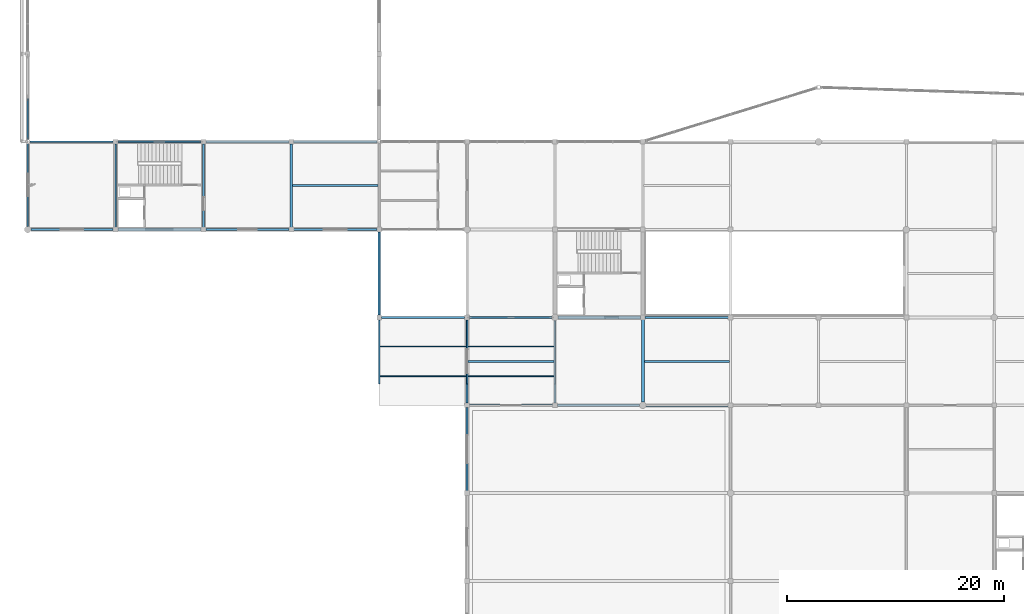
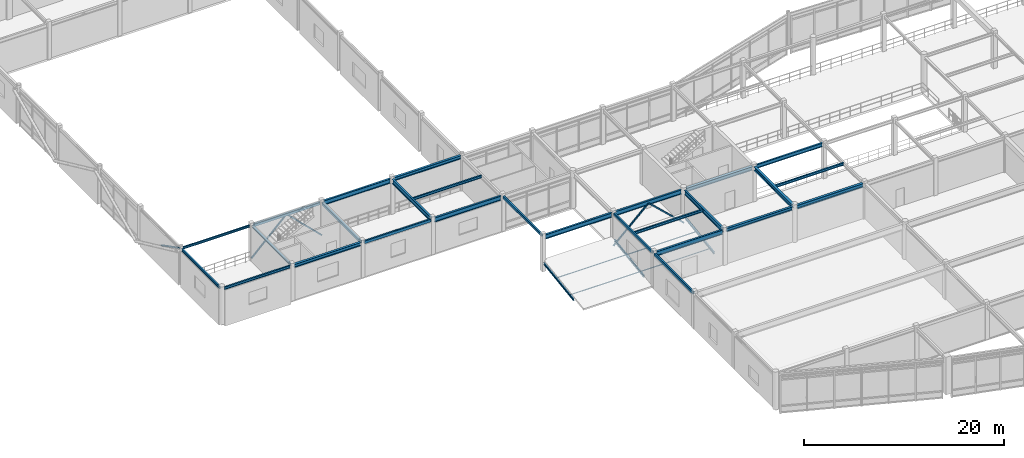
# One storey, part 19 of 93: 30 beams, 9 members.
"""IFC4 building model written with IfcOpenShell, lengths in metres."""

from ifc_helpers import new_model, si_unit, direction, frame, origin, origin_2d, place, context, subcontext, project, spatial, hollow_rectangle, hollow_circle, i_section, extrude, material, material_profile, profile_set, type_object, element, save


model = new_model("IFC4")

# Units and contexts
model_context = context("Model", 3, precision=1e-05, world=origin(), true_north=direction((0.0, 1.0)))
body_context = subcontext(model_context, "Body", "Model", "MODEL_VIEW")
ifc_project = project(units=[si_unit("LENGTHUNIT", "METRE"), si_unit("AREAUNIT", "SQUARE_METRE"), si_unit("VOLUMEUNIT", "CUBIC_METRE"), si_unit("PLANEANGLEUNIT", "RADIAN"), si_unit("MASSUNIT", "GRAM", prefix="KILO")], contexts=[model_context])

# Site, building, storey
site_placement = place(None, origin())
site = spatial("IfcSite", under=ifc_project, at=site_placement, CompositionType="ELEMENT")
building_placement = place(site_placement, origin())
building = spatial("IfcBuilding", under=site, at=building_placement, Name="Vaudrelin Polytechnic", CompositionType="ELEMENT")
storey_placement = place(building_placement, frame((0.0, 0.0, 5.10009765625)))
storey = spatial("IfcBuildingStorey", under=building, at=storey_placement, Name="L01", CompositionType="ELEMENT", Elevation=5.10009765625)

# Beams
ifc_material_1 = material(Name="Steel CSA G40.21 350WT", Category="steel")
ifc_material_profile_1 = material_profile(ifc_material_1, i_section(OverallWidth=0.260009765625, OverallDepth=0.4150390625, WebThickness=0.010009765625, FlangeThickness=0.016845703125, FilletRadius=0.01611328125, at=origin_2d()), Name="W410x100")
ifc_profile_set_1 = profile_set([ifc_material_profile_1], Name="Steel CSA G40.21 350WT")
beam_type_1 = type_object("IfcBeamType", Name="BM-BM-W410H", PredefinedType="SPANDREL", material=ifc_profile_set_1)
beam_1_placement = place(storey_placement, frame((8.321044921875, 40.5, 4.09228515625), z_axis=(1.0, 0.0, 0.0), x_axis=(0.0, 1.0, 0.0)))
element("IfcBeam", 1, at=beam_1_placement, inside=storey, type_object=beam_type_1, Name="L01 X-beam 2-6", PredefinedType="SPANDREL", context=body_context, shape_type="SweptSolid", body=[
    extrude(i_section(OverallWidth=0.260009765625, OverallDepth=0.4150390625, WebThickness=0.010009765625, FlangeThickness=0.016845703125, FilletRadius=0.01611328125, at=origin_2d()), origin(), (0.0, 0.0, 1.0), 7.657958984375),
])
beam_2_placement = place(storey_placement, frame((24.52099609375, 48.60009765625, 4.09228515625), z_axis=(1.0, 0.0, 0.0), x_axis=(0.0, 1.0, 0.0)))
element("IfcBeam", 2, at=beam_2_placement, inside=storey, type_object=beam_type_1, Name="L01 X-beam 4-7", PredefinedType="SPANDREL", context=body_context, shape_type="SweptSolid", body=[
    extrude(i_section(OverallWidth=0.260009765625, OverallDepth=0.4150390625, WebThickness=0.010009765625, FlangeThickness=0.016845703125, FilletRadius=0.01611328125, at=origin_2d()), origin(), (0.0, 0.0, 1.0), 7.6796875),
])
beam_3_placement = place(storey_placement, frame((48.821044921875, 24.300048828125, 4.102294921875), z_axis=(1.0, 0.0, 0.0), x_axis=(0.0, 1.0, 0.0)))
element("IfcBeam", 3, at=beam_3_placement, inside=storey, type_object=beam_type_1, Name="L01 X-beam 7-4", PredefinedType="SPANDREL", context=body_context, shape_type="SweptSolid", body=[
    extrude(i_section(OverallWidth=0.260009765625, OverallDepth=0.4150390625, WebThickness=0.010009765625, FlangeThickness=0.016845703125, FilletRadius=0.01611328125, at=origin_2d()), origin(), (0.0, 0.0, 1.0), 7.5830078125),
])
ifc_material_profile_2 = material_profile(ifc_material_1, i_section(OverallWidth=0.19091796875, OverallDepth=0.4599609375, WebThickness=0.010009765625, FlangeThickness=0.01611328125, FilletRadius=0.01806640625, at=origin_2d()), Name="W460x82")
ifc_profile_set_2 = profile_set([ifc_material_profile_2], Name="Steel CSA G40.21 350WT")
beam_type_2 = type_object("IfcBeamType", Name="BM-BM-W460", PredefinedType="BEAM", material=ifc_profile_set_2)
beam_4_placement = place(storey_placement, frame((56.9208984375, 32.39990234375, 4.079833984375), z_axis=(1.0, 0.0, 0.0), x_axis=(0.0, 1.0, 0.0)))
element("IfcBeam", 4, at=beam_4_placement, inside=storey, type_object=beam_type_2, Name="L01 X-beam 8-5", PredefinedType="BEAM", context=body_context, shape_type="SweptSolid", body=[
    extrude(i_section(OverallWidth=0.19091796875, OverallDepth=0.4599609375, WebThickness=0.010009765625, FlangeThickness=0.01611328125, FilletRadius=0.01806640625, at=origin_2d()), origin(), (0.0, 0.0, 1.0), 7.658203125),
])
ifc_material_2 = material(Name="Steel CSA G40.21 350W", Category="steel")
ifc_material_profile_3 = material_profile(ifc_material_2, i_section(OverallWidth=0.280029296875, OverallDepth=0.462890625, WebThickness=0.0107421875, FlangeThickness=0.017333984375, FilletRadius=0.01806640625, at=origin_2d()), Name="W460x113")
ifc_profile_set_3 = profile_set([ifc_material_profile_3], Name="Steel CSA G40.21 350W")
beam_type_3 = type_object("IfcBeamType", Name="BM-BM-W460H", PredefinedType="BEAM", material=ifc_profile_set_3)
beam_5_placement = place(storey_placement, frame((56.699951171875, 24.5849609375, 4.078369140625), z_axis=(0.0, 1.0, 0.0), x_axis=(-1.0, 0.0, 0.0)))
element("IfcBeam", 5, at=beam_5_placement, inside=storey, type_object=beam_type_3, Name="L01 Y-beam 8-4", PredefinedType="BEAM", context=body_context, shape_type="SweptSolid", body=[
    extrude(i_section(OverallWidth=0.280029296875, OverallDepth=0.462890625, WebThickness=0.0107421875, FlangeThickness=0.017333984375, FilletRadius=0.01806640625, at=origin_2d()), origin(), (0.0, 0.0, 1.0), 7.60498046875),
])
for number, where, z_axis, x_axis, name in (
    (6, (48.89599609375, 32.39990234375, 4.078369140625), (1.0, 0.0, 0.0), (0.0, 1.0, 0.0), "L01 X-beam 7-5"),
    (7, (56.99609375, 24.300048828125, 4.078369140625), (1.0, 0.0, 0.0), (0.0, 1.0, 0.0), "L01 X-beam 8-4"),
):
    element("IfcBeam", number, at=place(storey_placement, frame(where, z_axis=z_axis, x_axis=x_axis)), inside=storey, type_object=beam_type_3, Name=name, PredefinedType="BEAM", context=body_context, shape_type="SweptSolid", body=[
        extrude(i_section(OverallWidth=0.280029296875, OverallDepth=0.462890625, WebThickness=0.0107421875, FlangeThickness=0.017333984375, FilletRadius=0.01806640625, at=origin_2d()), origin(), (0.0, 0.0, 1.0), 7.5830078125),
    ])
ifc_material_profile_4 = material_profile(ifc_material_2, i_section(OverallWidth=0.208984375, OverallDepth=0.532958984375, WebThickness=0.01025390625, FlangeThickness=0.015625, FilletRadius=0.01904296875, at=origin_2d()), Name="W530x92")
ifc_profile_set_4 = profile_set([ifc_material_profile_4], Name="Steel CSA G40.21 350W")
beam_type_4 = type_object("IfcBeamType", Name="BM-BM-W530", PredefinedType="BEAM", material=ifc_profile_set_4)
beam_6_placement = place(storey_placement, frame((48.60009765625, 24.510009765625, 4.04345703125), z_axis=(0.0, 1.0, 0.0), x_axis=(-1.0, 0.0, 0.0)))
element("IfcBeam", 8, at=beam_6_placement, inside=storey, type_object=beam_type_4, Name="L01 Y-beam 7-4", PredefinedType="BEAM", context=body_context, shape_type="SweptSolid", body=[
    extrude(i_section(OverallWidth=0.208984375, OverallDepth=0.532958984375, WebThickness=0.01025390625, FlangeThickness=0.015625, FilletRadius=0.01904296875, at=origin_2d()), origin(), (0.0, 0.0, 1.0), 7.60498046875),
])
beam_7_placement = place(storey_placement, frame((40.720947265625, 32.39990234375, 4.04345703125), z_axis=(1.0, 0.0, 0.0), x_axis=(0.0, 1.0, 0.0)))
element("IfcBeam", 9, at=beam_7_placement, inside=storey, type_object=beam_type_4, Name="L01 X-beam 6-5", PredefinedType="BEAM", context=body_context, shape_type="SweptSolid", body=[
    extrude(i_section(OverallWidth=0.208984375, OverallDepth=0.532958984375, WebThickness=0.01025390625, FlangeThickness=0.015625, FilletRadius=0.01904296875, at=origin_2d()), origin(), (0.0, 0.0, 1.0), 7.5830078125),
])
ifc_material_profile_5 = material_profile(ifc_material_2, i_section(OverallWidth=0.214111328125, OverallDepth=0.549072265625, WebThickness=0.0146484375, FlangeThickness=0.023681640625, FilletRadius=0.01904296875, at=origin_2d()), Name="W530x138")
ifc_profile_set_5 = profile_set([ifc_material_profile_5], Name="Steel CSA G40.21 350W")
beam_type_5 = type_object("IfcBeamType", Name="BM-BM-W530H", PredefinedType="BEAM", material=ifc_profile_set_5)
beam_8_placement = place(storey_placement, frame((24.300048828125, 40.7099609375, 4.025390625), z_axis=(0.0, 1.0, 0.0), x_axis=(-1.0, 0.0, 0.0)))
element("IfcBeam", 10, at=beam_8_placement, inside=storey, type_object=beam_type_5, Name="L01 Y-beam 4-6", PredefinedType="BEAM", context=body_context, shape_type="SweptSolid", body=[
    extrude(i_section(OverallWidth=0.214111328125, OverallDepth=0.549072265625, WebThickness=0.0146484375, FlangeThickness=0.023681640625, FilletRadius=0.01904296875, at=origin_2d()), origin(), (0.0, 0.0, 1.0), 7.679931640625),
])
beam_9_placement = place(storey_placement, frame((16.4208984375, 48.60009765625, 4.025390625), z_axis=(1.0, 0.0, 0.0), x_axis=(0.0, 1.0, 0.0)))
element("IfcBeam", 11, at=beam_9_placement, inside=storey, type_object=beam_type_5, Name="L01 X-beam 3-7", PredefinedType="BEAM", context=body_context, shape_type="SweptSolid", body=[
    extrude(i_section(OverallWidth=0.214111328125, OverallDepth=0.549072265625, WebThickness=0.0146484375, FlangeThickness=0.023681640625, FilletRadius=0.01904296875, at=origin_2d()), origin(), (0.0, 0.0, 1.0), 7.658203125),
])
for number, where, z_axis, x_axis, name in (
    (12, (24.52099609375, 40.5, 4.025390625), (1.0, 0.0, 0.0), (0.0, 1.0, 0.0), "L01 X-beam 4-6"),
    (13, (32.62109375, 32.39990234375, 4.035400390625), (1.0, 0.0, 0.0), (0.0, 1.0, 0.0), "L01 X-beam 5-5"),
    (14, (40.720947265625, 24.300048828125, 4.035400390625), (1.0, 0.0, 0.0), (0.0, 1.0, 0.0), "L01 X-beam 6-4"),
):
    element("IfcBeam", number, at=place(storey_placement, frame(where, z_axis=z_axis, x_axis=x_axis)), inside=storey, type_object=beam_type_5, Name=name, PredefinedType="BEAM", context=body_context, shape_type="SweptSolid", body=[
        extrude(i_section(OverallWidth=0.214111328125, OverallDepth=0.549072265625, WebThickness=0.0146484375, FlangeThickness=0.023681640625, FilletRadius=0.01904296875, at=origin_2d()), origin(), (0.0, 0.0, 1.0), 7.657958984375),
    ])
ifc_material_profile_6 = material_profile(ifc_material_2, i_section(OverallWidth=0.14794921875, OverallDepth=0.26611328125, WebThickness=0.007568359375, FlangeThickness=0.012939453125, FilletRadius=0.012939453125, at=origin_2d()), Name="W250x45")
ifc_profile_set_6 = profile_set([ifc_material_profile_6], Name="Steel CSA G40.21 350W")
beam_type_6 = type_object("IfcBeamType", Name="BM-JS-W250", PredefinedType="JOIST", material=ifc_profile_set_6)
beam_10_placement = place(storey_placement, frame((8.10009765625, 40.7099609375, 4.1669921875), z_axis=(0.0, 1.0, 0.0), x_axis=(-1.0, 0.0, 0.0)))
element("IfcBeam", 15, at=beam_10_placement, inside=storey, type_object=beam_type_6, Name="L01 Y-beam 2-6", PredefinedType="JOIST", context=body_context, shape_type="SweptSolid", body=[
    extrude(i_section(OverallWidth=0.14794921875, OverallDepth=0.26611328125, WebThickness=0.007568359375, FlangeThickness=0.012939453125, FilletRadius=0.012939453125, at=origin_2d()), origin(), (0.0, 0.0, 1.0), 7.679931640625),
])
beam_11_placement = place(storey_placement, frame((0.19921875, 48.60009765625, 4.177001953125), z_axis=(1.0, 0.0, 0.0), x_axis=(0.0, 1.0, 0.0)))
element("IfcBeam", 16, at=beam_11_placement, inside=storey, type_object=beam_type_6, Name="L01 X-beam 1-7", PredefinedType="JOIST", context=body_context, shape_type="SweptSolid", body=[
    extrude(i_section(OverallWidth=0.14794921875, OverallDepth=0.26611328125, WebThickness=0.007568359375, FlangeThickness=0.012939453125, FilletRadius=0.012939453125, at=origin_2d()), origin(), (0.0, 0.0, 1.0), 7.6796875),
])
for number, where, z_axis, x_axis, name in (
    (17, (32.39990234375, 26.280029296875, 0.13232421875), (0.0, 0.990085079092, 0.140468986472), (-1.0, 0.0, 0.0), "Entrance porch canopy sloped rafter PORCH-4"),
    (18, (40.5, 26.280029296875, 0.13232421875), (0.0, 0.990085079092, 0.140468986472), (-1.0, 0.0, 0.0), "Entrance porch canopy sloped rafter PORCH-5"),
):
    element("IfcBeam", number, at=place(storey_placement, frame(where, z_axis=z_axis, x_axis=x_axis)), inside=storey, type_object=beam_type_6, Name=name, PredefinedType="JOIST", context=body_context, shape_type="SweptSolid", body=[
        extrude(i_section(OverallWidth=0.14794921875, OverallDepth=0.26611328125, WebThickness=0.007568359375, FlangeThickness=0.012939453125, FilletRadius=0.012939453125, at=origin_2d()), origin(), (0.0, 0.0, 1.0), 5.9580078125),
    ])
beam_12_placement = place(storey_placement, frame((48.60009765625, 26.280029296875, 0.13232421875), z_axis=(0.0, 0.990081870439, 0.140491600563), x_axis=(-1.0, 0.0, 0.0)))
element("IfcBeam", 19, at=beam_12_placement, inside=storey, type_object=beam_type_6, Name="Entrance porch canopy sloped rafter PORCH-6", PredefinedType="JOIST", context=body_context, shape_type="SweptSolid", body=[
    extrude(i_section(OverallWidth=0.14794921875, OverallDepth=0.26611328125, WebThickness=0.007568359375, FlangeThickness=0.012939453125, FilletRadius=0.012939453125, at=origin_2d()), origin(), (0.0, 0.0, 1.0), 5.88232421875),
])
ifc_material_profile_7 = material_profile(ifc_material_2, i_section(OverallWidth=0.1669921875, OverallDepth=0.31689453125, WebThickness=0.007568359375, FlangeThickness=0.01318359375, FilletRadius=0.013916015625, at=origin_2d()), Name="W310x52")
ifc_profile_set_7 = profile_set([ifc_material_profile_7], Name="Steel CSA G40.21 350W")
beam_type_7 = type_object("IfcBeamType", Name="BM-JS-W310", PredefinedType="JOIST", material=ifc_profile_set_7)
beam_13_placement = place(storey_placement, frame((0.0, 40.784912109375, 4.1513671875), z_axis=(0.0, 1.0, 0.0), x_axis=(-1.0, 0.0, 0.0)))
element("IfcBeam", 20, at=beam_13_placement, inside=storey, type_object=beam_type_7, Name="L01 Y-beam 1-6", PredefinedType="JOIST", context=body_context, shape_type="SweptSolid", body=[
    extrude(i_section(OverallWidth=0.1669921875, OverallDepth=0.31689453125, WebThickness=0.007568359375, FlangeThickness=0.01318359375, FilletRadius=0.013916015625, at=origin_2d()), origin(), (0.0, 0.0, 1.0), 7.626953125),
])
beam_14_placement = place(storey_placement, frame((0.2958984375, 40.5, 4.1513671875), z_axis=(1.0, 0.0, 0.0), x_axis=(0.0, 1.0, 0.0)))
element("IfcBeam", 21, at=beam_14_placement, inside=storey, type_object=beam_type_7, Name="L01 X-beam 1-6", PredefinedType="JOIST", context=body_context, shape_type="SweptSolid", body=[
    extrude(i_section(OverallWidth=0.1669921875, OverallDepth=0.31689453125, WebThickness=0.007568359375, FlangeThickness=0.01318359375, FilletRadius=0.013916015625, at=origin_2d()), origin(), (0.0, 0.0, 1.0), 7.5830078125),
])
beam_15_placement = place(storey_placement, frame((24.403076171875, 44.550048828125, 4.141357421875), z_axis=(1.0, 0.0, 0.0), x_axis=(0.0, 1.0, 0.0)))
element("IfcBeam", 22, at=beam_15_placement, inside=storey, type_object=beam_type_7, Name="L01 floor joist 4-6", PredefinedType="JOIST", context=body_context, shape_type="SweptSolid", body=[
    extrude(i_section(OverallWidth=0.1669921875, OverallDepth=0.31689453125, WebThickness=0.007568359375, FlangeThickness=0.01318359375, FilletRadius=0.013916015625, at=origin_2d()), origin(), (0.0, 0.0, 1.0), 7.896484375),
])
beam_16_placement = place(storey_placement, frame((40.597412109375, 28.35009765625, 4.1513671875), z_axis=(1.0, 0.0, 0.0), x_axis=(0.0, 1.0, 0.0)))
element("IfcBeam", 23, at=beam_16_placement, inside=storey, type_object=beam_type_7, Name="L01 floor joist 6-4", PredefinedType="JOIST", context=body_context, shape_type="SweptSolid", body=[
    extrude(i_section(OverallWidth=0.1669921875, OverallDepth=0.31689453125, WebThickness=0.007568359375, FlangeThickness=0.01318359375, FilletRadius=0.013916015625, at=origin_2d()), origin(), (0.0, 0.0, 1.0), 7.902099609375),
])
beam_17_placement = place(storey_placement, frame((56.8359375, 28.35009765625, 4.1513671875), z_axis=(1.0, 0.0, 0.0), x_axis=(0.0, 1.0, 0.0)))
element("IfcBeam", 24, at=beam_17_placement, inside=storey, type_object=beam_type_7, Name="L01 floor joist 8-4", PredefinedType="JOIST", context=body_context, shape_type="SweptSolid", body=[
    extrude(i_section(OverallWidth=0.1669921875, OverallDepth=0.31689453125, WebThickness=0.007568359375, FlangeThickness=0.01318359375, FilletRadius=0.013916015625, at=origin_2d()), origin(), (0.0, 0.0, 1.0), 7.87255859375),
])
ifc_material_profile_8 = material_profile(ifc_material_1, hollow_rectangle(XDim=0.202880859375, YDim=0.304931640625, WallThickness=0.010986328125, InnerFilletRadius=0.010986328125, OuterFilletRadius=0.022216796875, at=origin_2d()), Name="HSS305x203x11.1")
ifc_profile_set_8 = profile_set([ifc_material_profile_8], Name="Steel CSA G40.21 350WT")
beam_type_8 = type_object("IfcBeamType", Name="BM-SP-HSS30", PredefinedType="SPANDREL", material=ifc_profile_set_8)
for number, where, z_axis, x_axis, name in (
    (25, (32.39990234375, 32.610107421875, 4.157470703125), (0.0, 1.0, 0.0), (-1.0, 0.0, 0.0), "L01 Y-beam 5-5"),
    (26, (40.5, 24.510009765625, 4.157470703125), (0.0, 1.0, 0.0), (-1.0, 0.0, 0.0), "L01 Y-beam 6-4"),
):
    element("IfcBeam", number, at=place(storey_placement, frame(where, z_axis=z_axis, x_axis=x_axis)), inside=storey, type_object=beam_type_8, Name=name, PredefinedType="SPANDREL", context=body_context, shape_type="SweptSolid", body=[
        extrude(hollow_rectangle(XDim=0.202880859375, YDim=0.304931640625, WallThickness=0.010986328125, InnerFilletRadius=0.010986328125, OuterFilletRadius=0.022216796875, at=origin_2d()), origin(), (0.0, 0.0, 1.0), 7.679931640625),
    ])
ifc_material_profile_9 = material_profile(ifc_material_1, hollow_rectangle(XDim=0.202880859375, YDim=0.35595703125, WallThickness=0.0126953125, InnerFilletRadius=0.0126953125, OuterFilletRadius=0.025390625, at=origin_2d()), Name="HSS356x203x12.7")
ifc_profile_set_9 = profile_set([ifc_material_profile_9], Name="Steel CSA G40.21 350WT")
beam_type_9 = type_object("IfcBeamType", Name="BM-SP-HSS35", PredefinedType="SPANDREL", material=ifc_profile_set_9)
beam_18_placement = place(storey_placement, frame((16.199951171875, 40.7099609375, 4.121826171875), z_axis=(0.0, 1.0, 0.0), x_axis=(-1.0, 0.0, 0.0)))
element("IfcBeam", 27, at=beam_18_placement, inside=storey, type_object=beam_type_9, Name="L01 Y-beam 3-6", PredefinedType="SPANDREL", context=body_context, shape_type="SweptSolid", body=[
    extrude(hollow_rectangle(XDim=0.202880859375, YDim=0.35595703125, WallThickness=0.0126953125, InnerFilletRadius=0.0126953125, OuterFilletRadius=0.025390625, at=origin_2d()), origin(), (0.0, 0.0, 1.0), 7.679931640625),
])
beam_19_placement = place(storey_placement, frame((40.5, 16.409912109375, 4.1318359375), z_axis=(0.0, 1.0, 0.0), x_axis=(-1.0, 0.0, 0.0)))
element("IfcBeam", 28, at=beam_19_placement, inside=storey, type_object=beam_type_9, Name="L01 Y-beam 6-3", PredefinedType="SPANDREL", context=body_context, shape_type="SweptSolid", body=[
    extrude(hollow_rectangle(XDim=0.202880859375, YDim=0.35595703125, WallThickness=0.0126953125, InnerFilletRadius=0.0126953125, OuterFilletRadius=0.025390625, at=origin_2d()), origin(), (0.0, 0.0, 1.0), 7.68017578125),
])
beam_20_placement = place(storey_placement, frame((8.321044921875, 48.60009765625, 4.121826171875), z_axis=(1.0, 0.0, 0.0), x_axis=(0.0, 1.0, 0.0)))
element("IfcBeam", 29, at=beam_20_placement, inside=storey, type_object=beam_type_9, Name="L01 X-beam 2-7", PredefinedType="SPANDREL", context=body_context, shape_type="SweptSolid", body=[
    extrude(hollow_rectangle(XDim=0.202880859375, YDim=0.35595703125, WallThickness=0.0126953125, InnerFilletRadius=0.0126953125, OuterFilletRadius=0.025390625, at=origin_2d()), origin(), (0.0, 0.0, 1.0), 7.657958984375),
])
beam_21_placement = place(storey_placement, frame((16.4208984375, 40.5, 4.121826171875), z_axis=(1.0, 0.0, 0.0), x_axis=(0.0, 1.0, 0.0)))
element("IfcBeam", 30, at=beam_21_placement, inside=storey, type_object=beam_type_9, Name="L01 X-beam 3-6", PredefinedType="SPANDREL", context=body_context, shape_type="SweptSolid", body=[
    extrude(hollow_rectangle(XDim=0.202880859375, YDim=0.35595703125, WallThickness=0.0126953125, InnerFilletRadius=0.0126953125, OuterFilletRadius=0.025390625, at=origin_2d()), origin(), (0.0, 0.0, 1.0), 7.658203125),
])

# Members
ifc_material_profile_10 = material_profile(ifc_material_2, hollow_rectangle(XDim=0.152099609375, YDim=0.152099609375, WallThickness=0.008056640625, InnerFilletRadius=0.008056640625, OuterFilletRadius=0.01611328125, at=origin_2d()), Name="HSS152x152x8.0")
ifc_profile_set_10 = profile_set([ifc_material_profile_10], Name="Steel CSA G40.21 350W")
member_type_1 = type_object("IfcMemberType", Name="MEM-BF-D01", PredefinedType="BRACE", material=ifc_profile_set_10)
member_1_placement = place(storey_placement, frame((8.10009765625, 48.60009765625, 0.14990234375), z_axis=(0.713744632848, 0.0, 0.700406024446), x_axis=(0.0, 1.0, 0.0)))
element("IfcMember", 31, at=member_1_placement, inside=storey, type_object=member_type_1, Name="Chevron brace BF-03A", PredefinedType="BRACE", context=body_context, shape_type="SweptSolid", body=[
    extrude(hollow_rectangle(XDim=0.152099609375, YDim=0.152099609375, WallThickness=0.008056640625, InnerFilletRadius=0.008056640625, OuterFilletRadius=0.01611328125, at=origin_2d()), origin(), (0.0, 0.0, 1.0), 5.674072265625),
])
member_2_placement = place(storey_placement, frame((16.199951171875, 48.60009765625, 0.14990234375), z_axis=(-0.713765739949, 0.0, 0.700384514732), x_axis=(0.0, -1.0, 0.0)))
element("IfcMember", 32, at=member_2_placement, inside=storey, type_object=member_type_1, Name="Chevron brace BF-03B", PredefinedType="BRACE", context=body_context, shape_type="SweptSolid", body=[
    extrude(hollow_rectangle(XDim=0.152099609375, YDim=0.152099609375, WallThickness=0.008056640625, InnerFilletRadius=0.008056640625, OuterFilletRadius=0.01611328125, at=origin_2d()), origin(), (0.0, 0.0, 1.0), 5.67431640625),
])
for number, where, z_axis, x_axis, name in (
    (33, (40.5, 32.39990234375, 0.14990234375), (0.728642135696, 0.0, 0.684894618236), (0.0, 1.0, 0.0), "Chevron brace BF-06A"),
    (34, (48.60009765625, 32.39990234375, 0.14990234375), (-0.728642135696, 0.0, 0.684894618236), (0.0, -1.0, 0.0), "Chevron brace BF-06B"),
):
    element("IfcMember", number, at=place(storey_placement, frame(where, z_axis=z_axis, x_axis=x_axis)), inside=storey, type_object=member_type_1, Name=name, PredefinedType="BRACE", context=body_context, shape_type="SweptSolid", body=[
        extrude(hollow_rectangle(XDim=0.152099609375, YDim=0.152099609375, WallThickness=0.008056640625, InnerFilletRadius=0.008056640625, OuterFilletRadius=0.01611328125, at=origin_2d()), origin(), (0.0, 0.0, 1.0), 5.558349609375),
    ])
member_3_placement = place(storey_placement, frame((0.0, 52.549072265625, 2.188232421875), z_axis=(0.0, -0.888785507997, 0.458323380132), x_axis=(1.0, 0.0, 0.0)))
element("IfcMember", 35, at=member_3_placement, inside=storey, type_object=member_type_1, Name="West workshop X-brace upper split diagonal XBR-01B-2", PredefinedType="BRACE", context=body_context, shape_type="SweptSolid", body=[
    extrude(hollow_rectangle(XDim=0.152099609375, YDim=0.152099609375, WallThickness=0.008056640625, InnerFilletRadius=0.008056640625, OuterFilletRadius=0.01611328125, at=origin_2d()), origin(), (0.0, 0.0, 1.0), 4.2236328125),
])
ifc_material_profile_11 = material_profile(ifc_material_1, hollow_circle(Radius=0.05712890625, WallThickness=0.00634765625, at=origin_2d()), Name="CHS114.3x6.4")
ifc_profile_set_11 = profile_set([ifc_material_profile_11], Name="Steel CSA G40.21 350WT")
member_type_2 = type_object("IfcMemberType", Name="MEM-PR-02", PredefinedType="PURLIN", material=ifc_profile_set_11)
for number, where, z_axis, x_axis, name in (
    (36, (32.39990234375, 26.972900390625, 0.308349609375), (1.0, 0.0, 0.0), (0.0, 1.0, 0.0), "Entrance porch canopy purlin PPR-1-33"),
    (37, (32.39990234375, 29.72705078125, 0.695556640625), (1.0, 0.0, 0.0), (0.0, 1.0, 0.0), "Entrance porch canopy purlin PPR-1-67"),
    (38, (40.5, 26.972900390625, 0.308349609375), (1.0, 0.0, 0.0), (0.0, 1.0, 0.0), "Entrance porch canopy purlin PPR-2-33"),
    (39, (40.5, 29.72705078125, 0.695556640625), (1.0, 0.0, 0.0), (0.0, 1.0, 0.0), "Entrance porch canopy purlin PPR-2-67"),
):
    element("IfcMember", number, at=place(storey_placement, frame(where, z_axis=z_axis, x_axis=x_axis)), inside=storey, type_object=member_type_2, Name=name, PredefinedType="PURLIN", context=body_context, shape_type="SweptSolid", body=[
        extrude(hollow_circle(Radius=0.05712890625, WallThickness=0.00634765625, at=origin_2d()), origin(), (0.0, 0.0, 1.0), 8.10009765625),
    ])

save(model, "model.ifc")
